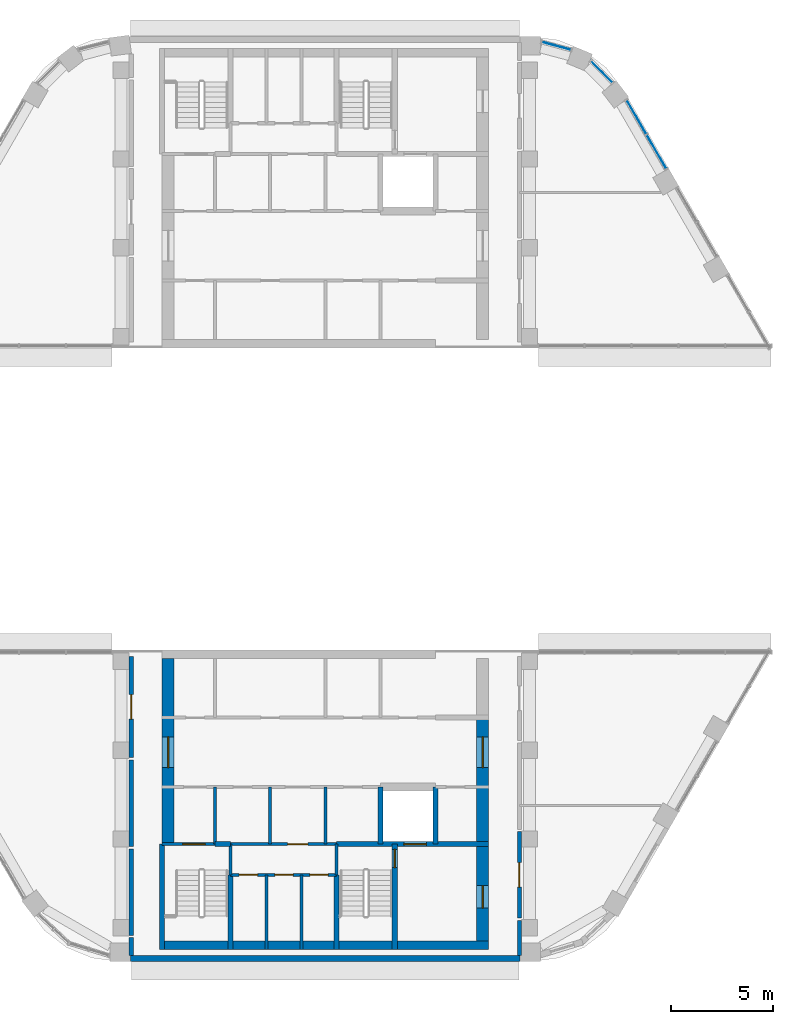
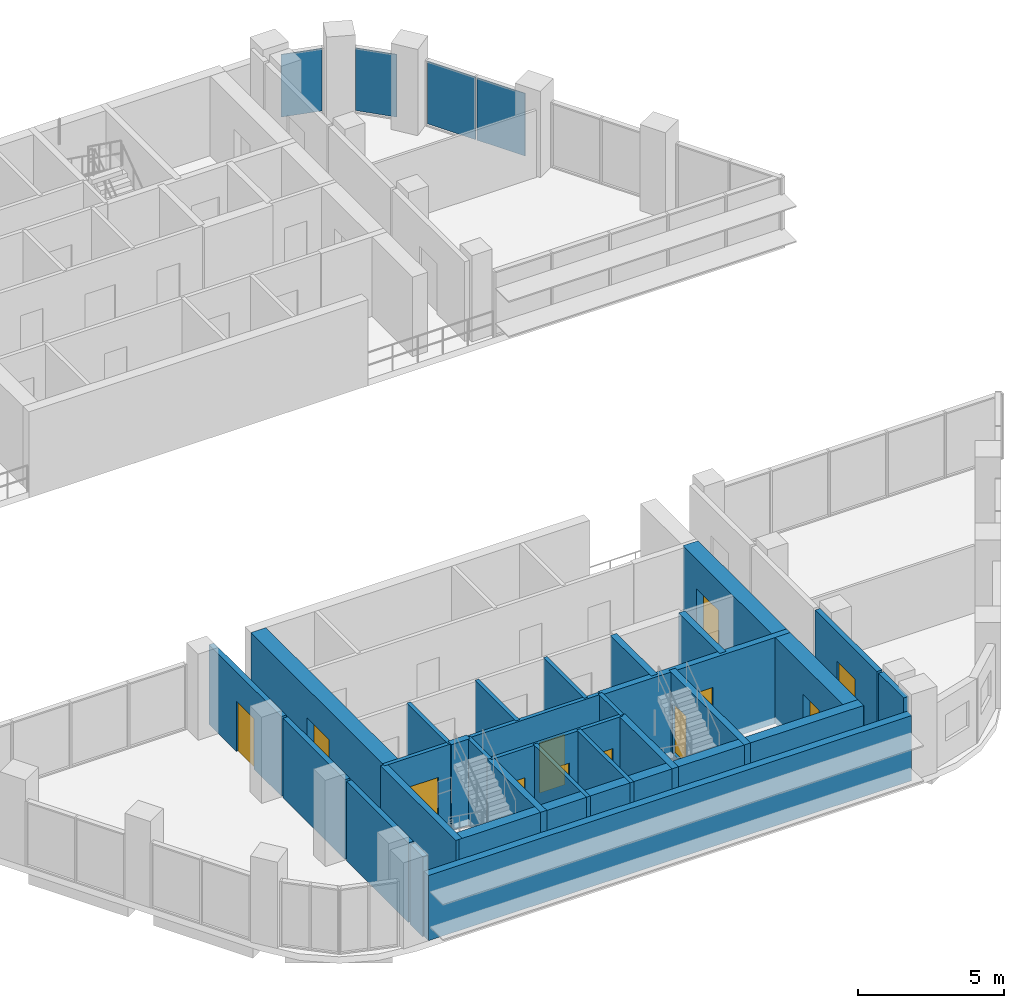
# One storey, part 8 of 14: 28 walls, 12 doors, 4 plates, 12 openings, 3 elements without a shape of their own.
"""IFC4 building model written with IfcOpenShell, lengths in metres."""

from ifc_helpers import new_model, si_unit, direction, frame, frame_2d, origin, origin_2d, place, context, subcontext, project, spatial, rectangle, extrude, material, layer, layer_set, type_object, element, fill, aggregate, save


model = new_model("IFC4")

# Units and contexts
model_context = context("Model", 3, precision=1e-05, world=origin(), true_north=direction((0.0, 1.0)))
body_context = subcontext(model_context, "Body", "Model", "MODEL_VIEW")
ifc_project = project(units=[si_unit("LENGTHUNIT", "METRE"), si_unit("AREAUNIT", "SQUARE_METRE"), si_unit("VOLUMEUNIT", "CUBIC_METRE"), si_unit("PLANEANGLEUNIT", "RADIAN"), si_unit("MASSUNIT", "GRAM", prefix="KILO")], contexts=[model_context])

# Site, building, storey
site_placement = place(None, origin())
site = spatial("IfcSite", under=ifc_project, at=site_placement, CompositionType="ELEMENT")
building_placement = place(site_placement, origin())
building = spatial("IfcBuilding", under=site, at=building_placement, Name="Nakaniwa Court", CompositionType="ELEMENT")
storey_placement = place(building_placement, frame((0.0, 0.0, 279.60009765625)))
storey = spatial("IfcBuildingStorey", under=building, at=storey_placement, Name="C03", CompositionType="ELEMENT", Elevation=279.60009765625)

# Curtain wall, plates
ifc_material_1 = material(Name="Black anodised aluminium frame with dark low-E laminated double glazing", Category="aluminium")
ifc_layer_1 = layer(ifc_material_1, 0.199951171875)
ifc_layer_set_1 = layer_set([ifc_layer_1], Name="Black anodised aluminium frame with dark low-E laminated double glazing")
curtain_wall_type = type_object("IfcCurtainWallType", Name="Crown curtain wall", PredefinedType="NOTDEFINED", material=ifc_layer_set_1)
curtain_wall_1_placement = place(storey_placement, origin())
curtain_wall_1 = element("IfcCurtainWall", 1, at=curtain_wall_1_placement, inside=storey, type_object=curtain_wall_type, Name="C03 curtain wall CW4 20", PredefinedType="NOTDEFINED")
ifc_material_2 = material(Name="Dark toughened glass", Category="glass")
ifc_layer_2 = layer(ifc_material_2, 0.007, Name="Outer pane")
ifc_material_3 = material(Name="Argon filled cavity")
ifc_layer_3 = layer(ifc_material_3, 0.016, Name="Cavity")
ifc_material_4 = material(Name="Dark laminated safety glass", Category="glass")
ifc_layer_4 = layer(ifc_material_4, 0.007, Name="Inner pane")
ifc_layer_set_2 = layer_set([ifc_layer_2, ifc_layer_3, ifc_layer_4], Name="Dark low-E laminated double glazing")
plate_type = type_object("IfcPlateType", Name="Crown curtain wall glass panel", PredefinedType="CURTAIN_PANEL", material=ifc_layer_set_2)
plate_1_placement = place(storey_placement, frame((96.220703125, 97.004638671875, 0.0546875), z_axis=(0.0, 0.0, 1.0), x_axis=(-0.499995809815, 0.866027822975, 0.0)))
plate_1 = element("IfcPlate", 2, at=plate_1_placement, type_object=plate_type, Name="CW4 panel 1.1", PredefinedType="CURTAIN_PANEL", context=body_context, shape_type="SweptSolid", body=[
    extrude(rectangle(XDim=1.892333984375, YDim=0.030029296875, at=origin_2d()), origin(), (0.0, 0.0, 1.0), 2.614990234375),
])
plate_2_placement = place(storey_placement, frame((95.2421875, 98.69970703125, 0.0546875), z_axis=(0.0, 0.0, 1.0), x_axis=(-0.499995809815, 0.866027822975, 0.0)))
plate_2 = element("IfcPlate", 3, at=plate_2_placement, type_object=plate_type, Name="CW4 panel 2.1", PredefinedType="CURTAIN_PANEL", context=body_context, shape_type="SweptSolid", body=[
    extrude(rectangle(XDim=1.892333984375, YDim=0.030029296875, at=origin_2d()), origin(), (0.0, 0.0, 1.0), 2.614990234375),
])
aggregate(curtain_wall_1, [plate_1, plate_2])

# Curtain wall, plate
curtain_wall_2_placement = place(storey_placement, origin())
curtain_wall_2 = element("IfcCurtainWall", 4, at=curtain_wall_2_placement, inside=storey, type_object=curtain_wall_type, Name="C03 curtain wall CW4 21", PredefinedType="NOTDEFINED")
plate_3_placement = place(storey_placement, frame((93.536865234375, 100.9208984375, 0.0546875), z_axis=(0.0, 0.0, 1.0), x_axis=(-0.699240623143, 0.714886390238, 0.0)))
plate_3 = element("IfcPlate", 5, at=plate_3_placement, type_object=plate_type, Name="CW4 panel 1.1", PredefinedType="CURTAIN_PANEL", context=body_context, shape_type="SweptSolid", body=[
    extrude(rectangle(XDim=1.4677734375, YDim=0.030029296875, at=origin_2d()), origin(), (0.0, 0.0, 1.0), 2.614990234375),
])
aggregate(curtain_wall_2, [plate_3])

curtain_wall_3_placement = place(storey_placement, origin())
curtain_wall_3 = element("IfcCurtainWall", 6, at=curtain_wall_3_placement, inside=storey, type_object=curtain_wall_type, Name="C03 curtain wall CW4 22", PredefinedType="NOTDEFINED")
plate_4_placement = place(storey_placement, frame((91.31591796875, 102.18505859375, 0.0546875), z_axis=(0.0, 0.0, 1.0), x_axis=(-0.965375472235, 0.26086432797, 0.0)))
plate_4 = element("IfcPlate", 7, at=plate_4_placement, type_object=plate_type, Name="CW4 panel 1.1", PredefinedType="CURTAIN_PANEL", context=body_context, shape_type="SweptSolid", body=[
    extrude(rectangle(XDim=1.44775390625, YDim=0.030029296875, at=origin_2d()), origin(), (0.0, 0.0, 1.0), 2.614990234375),
])
aggregate(curtain_wall_3, [plate_4])

# Wall
ifc_material_5 = material(Name="Acoustic double stud partition")
ifc_layer_5 = layer(ifc_material_5, 0.199951171875)
ifc_layer_set_3 = layer_set([ifc_layer_5], Name="Acoustic double stud partition")
wall_type_1 = type_object("IfcWallType", Name="Acoustic double stud partition 200", PredefinedType="PARTITIONING", material=ifc_layer_set_3)
wall_1_placement = place(storey_placement, frame((89.5, 57.64990234375, 0.0), z_axis=(0.0, 0.0, 1.0), x_axis=(0.0, 1.0, 0.0)))
element("IfcWall", 8, at=wall_1_placement, inside=storey, type_object=wall_type_1, Name="Partition PW-055", PredefinedType="PARTITIONING", context=body_context, shape_type="SweptSolid", body=[
    extrude(rectangle(XDim=1.713134765625, YDim=0.199951171875, at=frame_2d((0.8564453125, 0.0))), origin(), (0.0, 0.0, 1.0), 3.324951171875),
])

# Wall, opening, door
wall_2_placement = place(storey_placement, frame((89.5, 63.712890625, 0.0), z_axis=(0.0, 0.0, 1.0), x_axis=(0.0, -1.0, 0.0)))
wall_2 = element("IfcWall", 9, at=wall_2_placement, inside=storey, type_object=wall_type_1, Name="Partition PW-056", PredefinedType="PARTITIONING", context=body_context, shape_type="SweptSolid", body=[
    extrude(rectangle(XDim=4.23583984375, YDim=0.199951171875, at=frame_2d((2.117919921875, 0.0))), origin(), (0.0, 0.0, 1.0), 3.324951171875),
])
opening_1_placement = place(wall_2_placement, frame((1.51806640625, 0.0, 0.0)))
opening_1 = element("IfcOpeningElement", 10, at=opening_1_placement, cuts=wall_2, Name="Opening D-30-01", PredefinedType="OPENING", context=body_context, shape_type="SweptSolid", body=[
    extrude(rectangle(XDim=1.199951171875, YDim=2.10009765625, at=frame_2d((0.60009765625, 1.050048828125))), frame((0.0, 0.10986328125, 0.0), z_axis=(0.0, -1.0, 0.0), x_axis=(1.0, 0.0, 0.0)), (0.0, 0.0, 1.0), 0.219970703125),
])
ifc_material_6 = material(Name="Solid core timber door set, black veneer", Category="wood")
door_type_1 = type_object("IfcDoorType", Name="Internal door 1200", OperationType="NOTDEFINED", PredefinedType="DOOR", material=ifc_material_6)
door_1_placement = place(opening_1_placement, origin())
door_1 = element("IfcDoor", 11, at=door_1_placement, inside=storey, type_object=door_type_1, Name="Door D-30-01 C03-031", OperationType="SINGLE_SWING_RIGHT", OverallHeight=2.10009765625, OverallWidth=1.199951171875, PredefinedType="DOOR", context=body_context, shape_type="SweptSolid", body=[
    extrude(rectangle(XDim=1.199951171875, YDim=2.10009765625, at=frame_2d((0.60009765625, 1.050048828125))), frame((0.0, 0.02490234375, 0.0), z_axis=(0.0, -1.0, 0.0), x_axis=(1.0, 0.0, 0.0)), (0.0, 0.0, 1.0), 0.050048828125),
])
fill(opening_1, door_1)

# Walls
wall_3_placement = place(storey_placement, frame((70.5, 57.64990234375, 0.0), z_axis=(0.0, 0.0, 1.0), x_axis=(0.0, 1.0, 0.0)))
element("IfcWall", 12, at=wall_3_placement, inside=storey, type_object=wall_type_1, Name="Partition PW-065", PredefinedType="PARTITIONING", context=body_context, shape_type="SweptSolid", body=[
    extrude(rectangle(XDim=0.873046875, YDim=0.199951171875, at=frame_2d((0.4365234375, 0.0))), origin(), (0.0, 0.0, 1.0), 3.324951171875),
])
wall_4_placement = place(storey_placement, frame((70.5, 58.636962890625, 0.0), z_axis=(0.0, 0.0, 1.0), x_axis=(0.0, 1.0, 0.0)))
element("IfcWall", 13, at=wall_4_placement, inside=storey, type_object=wall_type_1, Name="Partition PW-066", PredefinedType="PARTITIONING", context=body_context, shape_type="SweptSolid", body=[
    extrude(rectangle(XDim=4.236083984375, YDim=0.199951171875, at=frame_2d((2.1181640625, 0.0))), origin(), (0.0, 0.0, 1.0), 3.324951171875),
])
wall_5_placement = place(storey_placement, frame((70.5, 62.987060546875, 0.0), z_axis=(0.0, 0.0, 1.0), x_axis=(0.0, 1.0, 0.0)))
element("IfcWall", 14, at=wall_5_placement, inside=storey, type_object=wall_type_1, Name="Partition PW-067", PredefinedType="PARTITIONING", context=body_context, shape_type="SweptSolid", body=[
    extrude(rectangle(XDim=4.23583984375, YDim=0.199951171875, at=frame_2d((2.117919921875, 0.0))), origin(), (0.0, 0.0, 1.0), 3.324951171875),
])

# Wall, opening, door
wall_6_placement = place(storey_placement, frame((70.5, 67.3369140625, 0.0), z_axis=(0.0, 0.0, 1.0), x_axis=(0.0, 1.0, 0.0)))
wall_6 = element("IfcWall", 15, at=wall_6_placement, inside=storey, type_object=wall_type_1, Name="Partition PW-068", PredefinedType="PARTITIONING", context=body_context, shape_type="SweptSolid", body=[
    extrude(rectangle(XDim=4.963134765625, YDim=0.199951171875, at=frame_2d((2.4814453125, 0.0))), origin(), (0.0, 0.0, 1.0), 3.324951171875),
])
opening_2_placement = place(wall_6_placement, frame((1.883056640625, 0.0, 0.0)))
opening_2 = element("IfcOpeningElement", 16, at=opening_2_placement, cuts=wall_6, Name="Opening D-30-05", PredefinedType="OPENING", context=body_context, shape_type="SweptSolid", body=[
    extrude(rectangle(XDim=1.199951171875, YDim=2.10009765625, at=frame_2d((0.60009765625, 1.050048828125))), frame((0.0, 0.10986328125, 0.0), z_axis=(0.0, -1.0, 0.0), x_axis=(1.0, 0.0, 0.0)), (0.0, 0.0, 1.0), 0.219970703125),
])
door_2_placement = place(opening_2_placement, origin())
door_2 = element("IfcDoor", 17, at=door_2_placement, inside=storey, type_object=door_type_1, Name="Door D-30-05 C03-035", OperationType="SINGLE_SWING_RIGHT", OverallHeight=2.10009765625, OverallWidth=1.199951171875, PredefinedType="DOOR", context=body_context, shape_type="SweptSolid", body=[
    extrude(rectangle(XDim=1.199951171875, YDim=2.10009765625, at=frame_2d((0.60009765625, 1.050048828125))), frame((0.0, 0.02490234375, 0.0), z_axis=(0.0, -1.0, 0.0), x_axis=(1.0, 0.0, 0.0)), (0.0, 0.0, 1.0), 0.050048828125),
])
fill(opening_2, door_2)

# Walls
ifc_material_7 = material(Name="Charcoal ceramic cladding")
ifc_layer_6 = layer(ifc_material_7, 0.02, Name="Ceramic cladding")
ifc_material_8 = material(Name="Ventilated air cavity")
ifc_layer_7 = layer(ifc_material_8, 0.04, ventilated=True, Name="Ventilated cavity")
ifc_material_9 = material(Name="Mineral wool insulation")
ifc_layer_8 = layer(ifc_material_9, 0.1, Name="Insulation")
ifc_material_10 = material(Name="Cement bonded sheathing board")
ifc_layer_9 = layer(ifc_material_10, 0.012, Name="Sheathing")
ifc_material_11 = material(Name="Cold-formed galvanised stud frame with mineral wool infill")
ifc_layer_10 = layer(ifc_material_11, 0.1, Name="Stud frame")
ifc_material_12 = material(Name="Fire-rated gypsum plasterboard lining")
ifc_layer_11 = layer(ifc_material_12, 0.028, Name="Lining")
ifc_layer_set_4 = layer_set([ifc_layer_6, ifc_layer_7, ifc_layer_8, ifc_layer_9, ifc_layer_10, ifc_layer_11], Name="Charcoal ceramic faced external wall system")
wall_type_2 = type_object("IfcWallType", Name="Black ceramic faced external wall 300", PredefinedType="SOLIDWALL", material=ifc_layer_set_4)
wall_7_placement = place(storey_placement, frame((70.45068359375, 57.5, 0.0), z_axis=(0.0, 0.0, 1.0), x_axis=(1.0, 0.0, 0.0)))
element("IfcWall", 18, at=wall_7_placement, inside=storey, type_object=wall_type_2, Name="C03 external wall 10", PredefinedType="SOLIDWALL", context=body_context, shape_type="SweptSolid", body=[
    extrude(rectangle(XDim=19.0927734375, YDim=0.300048828125, at=frame_2d((9.54638671875, 0.0))), origin(), (0.0, 0.0, 1.0), 2.724853515625),
])
ifc_material_13 = material(Name="Blockwork partition", Category="masonry")
ifc_layer_12 = layer(ifc_material_13, 0.14990234375)
ifc_layer_set_5 = layer_set([ifc_layer_12], Name="Blockwork partition")
wall_type_3 = type_object("IfcWallType", Name="Blockwork partition 150", PredefinedType="PARTITIONING", material=ifc_layer_set_5)
for number, where, z_axis, x_axis, name in (
    (19, (74.60009765625, 63.10009765625, 0.0), (0.0, 0.0, 1.0), (0.0, 1.0, 0.0), "Partition PW-028"),
    (20, (80.0, 63.10009765625, 0.0), (0.0, 0.0, 1.0), (0.0, 1.0, 0.0), "Partition PW-032"),
    (21, (77.300048828125, 63.10009765625, 0.0), (0.0, 0.0, 1.0), (0.0, 1.0, 0.0), "Partition PW-040"),
):
    element("IfcWall", number, at=place(storey_placement, frame(where, z_axis=z_axis, x_axis=x_axis)), inside=storey, type_object=wall_type_3, Name=name, PredefinedType="PARTITIONING", context=body_context, shape_type="SweptSolid", body=[
        extrude(rectangle(XDim=2.7998046875, YDim=0.14990234375, at=frame_2d((1.39990234375, 0.0))), origin(), (0.0, 0.0, 1.0), 3.324951171875),
    ])

# Wall, opening, door
wall_8_placement = place(storey_placement, frame((80.552978515625, 63.10009765625, 0.0), z_axis=(0.0, 0.0, 1.0), x_axis=(-1.0, 0.0, 0.0)))
wall_8 = element("IfcWall", 22, at=wall_8_placement, inside=storey, type_object=wall_type_3, Name="Partition PW-043", PredefinedType="PARTITIONING", context=body_context, shape_type="SweptSolid", body=[
    extrude(rectangle(XDim=5.2060546875, YDim=0.14990234375, at=frame_2d((2.60302734375, 0.0))), origin(), (0.0, 0.0, 1.0), 3.324951171875),
])
opening_3_placement = place(wall_8_placement, frame((1.403076171875, 0.0, 0.0)))
opening_3 = element("IfcOpeningElement", 23, at=opening_3_placement, cuts=wall_8, Name="Opening D-23-02", PredefinedType="OPENING", context=body_context, shape_type="SweptSolid", body=[
    extrude(rectangle(XDim=1.0, YDim=2.10009765625, at=frame_2d((0.5, 1.050048828125))), frame((0.0, 0.0849609375, 0.0), z_axis=(0.0, -1.0, 0.0), x_axis=(1.0, 0.0, 0.0)), (0.0, 0.0, 1.0), 0.169921875),
])
ifc_material_14 = material(Name="Fire rated steel door set", Category="steel")
door_type_2 = type_object("IfcDoorType", Name="Service room door 1000", OperationType="NOTDEFINED", PredefinedType="DOOR", material=ifc_material_14)
door_3_placement = place(opening_3_placement, origin())
door_3 = element("IfcDoor", 24, at=door_3_placement, inside=storey, type_object=door_type_2, Name="Door D-23-02 C03-025", OperationType="SINGLE_SWING_RIGHT", OverallHeight=2.10009765625, OverallWidth=1.0, PredefinedType="DOOR", context=body_context, shape_type="SweptSolid", body=[
    extrude(rectangle(XDim=1.0, YDim=2.10009765625, at=frame_2d((0.5, 1.050048828125))), frame((0.0, 0.02490234375, 0.0), z_axis=(0.0, -1.0, 0.0), x_axis=(1.0, 0.0, 0.0)), (0.0, 0.0, 1.0), 0.050048828125),
])
fill(opening_3, door_3)

# Wall, openings, doors
wall_9_placement = place(storey_placement, frame((80.550048828125, 61.60009765625, 0.0), z_axis=(0.0, 0.0, 1.0), x_axis=(-1.0, 0.0, 0.0)))
wall_9 = element("IfcWall", 25, at=wall_9_placement, inside=storey, type_object=wall_type_3, Name="Partition PW-052", PredefinedType="PARTITIONING", context=body_context, shape_type="SweptSolid", body=[
    extrude(rectangle(XDim=5.199951171875, YDim=0.14990234375, at=frame_2d((2.60009765625, 0.0))), origin(), (0.0, 0.0, 1.0), 3.324951171875),
])
opening_4_placement = place(wall_9_placement, frame((3.865966796875, 0.0, 0.0)))
opening_4 = element("IfcOpeningElement", 26, at=opening_4_placement, cuts=wall_9, Name="Opening D-05-18", PredefinedType="OPENING", context=body_context, shape_type="SweptSolid", body=[
    extrude(rectangle(XDim=0.89990234375, YDim=2.10009765625, at=frame_2d((0.449951171875, 1.050048828125))), frame((0.0, 0.0849609375, 0.0), z_axis=(0.0, -1.0, 0.0), x_axis=(1.0, 0.0, 0.0)), (0.0, 0.0, 1.0), 0.169921875),
])
opening_5_placement = place(wall_9_placement, frame((2.1240234375, 0.0, 0.0)))
opening_5 = element("IfcOpeningElement", 27, at=opening_5_placement, cuts=wall_9, Name="Opening D-05-19", PredefinedType="OPENING", context=body_context, shape_type="SweptSolid", body=[
    extrude(rectangle(XDim=0.89990234375, YDim=2.10009765625, at=frame_2d((0.449951171875, 1.050048828125))), frame((0.0, 0.0849609375, 0.0), z_axis=(0.0, -1.0, 0.0), x_axis=(1.0, 0.0, 0.0)), (0.0, 0.0, 1.0), 0.169921875),
])
opening_6_placement = place(wall_9_placement, frame((0.407958984375, 0.0, 0.0)))
opening_6 = element("IfcOpeningElement", 28, at=opening_6_placement, cuts=wall_9, Name="Opening D-05-20", PredefinedType="OPENING", context=body_context, shape_type="SweptSolid", body=[
    extrude(rectangle(XDim=0.89990234375, YDim=2.10009765625, at=frame_2d((0.449951171875, 1.050048828125))), frame((0.0, 0.0849609375, 0.0), z_axis=(0.0, -1.0, 0.0), x_axis=(1.0, 0.0, 0.0)), (0.0, 0.0, 1.0), 0.169921875),
])
door_type_3 = type_object("IfcDoorType", Name="Service room door 900", OperationType="NOTDEFINED", PredefinedType="DOOR", material=ifc_material_14)
door_4_placement = place(opening_4_placement, origin())
door_4 = element("IfcDoor", 29, at=door_4_placement, inside=storey, type_object=door_type_3, Name="Door D-05-18 C03-026", OperationType="SINGLE_SWING_LEFT", OverallHeight=2.10009765625, OverallWidth=0.89990234375, PredefinedType="DOOR", context=body_context, shape_type="SweptSolid", body=[
    extrude(rectangle(XDim=0.89990234375, YDim=2.10009765625, at=frame_2d((0.449951171875, 1.050048828125))), frame((0.0, 0.02490234375, 0.0), z_axis=(0.0, -1.0, 0.0), x_axis=(1.0, 0.0, 0.0)), (0.0, 0.0, 1.0), 0.050048828125),
])
fill(opening_4, door_4)
door_5_placement = place(opening_5_placement, origin())
door_5 = element("IfcDoor", 30, at=door_5_placement, inside=storey, type_object=door_type_3, Name="Door D-05-19 C03-027", OperationType="SINGLE_SWING_RIGHT", OverallHeight=2.10009765625, OverallWidth=0.89990234375, PredefinedType="DOOR", context=body_context, shape_type="SweptSolid", body=[
    extrude(rectangle(XDim=0.89990234375, YDim=2.10009765625, at=frame_2d((0.449951171875, 1.050048828125))), frame((0.0, 0.02490234375, 0.0), z_axis=(0.0, -1.0, 0.0), x_axis=(1.0, 0.0, 0.0)), (0.0, 0.0, 1.0), 0.050048828125),
])
fill(opening_5, door_5)
door_6_placement = place(opening_6_placement, origin())
door_6 = element("IfcDoor", 31, at=door_6_placement, inside=storey, type_object=door_type_3, Name="Door D-05-20 C03-028", OperationType="SINGLE_SWING_LEFT", OverallHeight=2.10009765625, OverallWidth=0.89990234375, PredefinedType="DOOR", context=body_context, shape_type="SweptSolid", body=[
    extrude(rectangle(XDim=0.89990234375, YDim=2.10009765625, at=frame_2d((0.449951171875, 1.050048828125))), frame((0.0, 0.02490234375, 0.0), z_axis=(0.0, -1.0, 0.0), x_axis=(1.0, 0.0, 0.0)), (0.0, 0.0, 1.0), 0.050048828125),
])
fill(opening_6, door_6)

# Walls
for number, where, z_axis, x_axis, name in (
    (32, (77.117919921875, 57.949951171875, 0.0), (0.0, 0.0, 1.0), (0.0, 1.0, 0.0), "Partition PW-053"),
    (33, (78.833984375, 57.949951171875, 0.0), (0.0, 0.0, 1.0), (0.0, 1.0, 0.0), "Partition PW-054"),
):
    element("IfcWall", number, at=place(storey_placement, frame(where, z_axis=z_axis, x_axis=x_axis)), inside=storey, type_object=wall_type_3, Name=name, PredefinedType="PARTITIONING", context=body_context, shape_type="SweptSolid", body=[
        extrude(rectangle(XDim=3.650146484375, YDim=0.14990234375, at=frame_2d((1.8251953125, 0.0))), origin(), (0.0, 0.0, 1.0), 3.324951171875),
    ])

# Wall, opening, door
ifc_material_15 = material(Name="Concrete C80/100", Category="concrete")
ifc_layer_13 = layer(ifc_material_15, 0.60009765625)
ifc_layer_set_6 = layer_set([ifc_layer_13], Name="Concrete C80/100")
wall_type_4 = type_object("IfcWallType", Name="Concrete core side wall 600 C80", PredefinedType="SHEAR", material=ifc_layer_set_6)
wall_10_placement = place(storey_placement, frame((72.300048828125, 63.10009765625, -0.275146484375), z_axis=(0.0, 0.0, 1.0), x_axis=(0.0, 1.0, 0.0)))
wall_10 = element("IfcWall", 34, at=wall_10_placement, inside=storey, type_object=wall_type_4, Name="Core wall SW-31", PredefinedType="SHEAR", context=body_context, shape_type="SweptSolid", body=[
    extrude(rectangle(XDim=9.099853515625, YDim=0.60009765625, at=frame_2d((4.5498046875, 0.0))), origin(), (0.0, 0.0, 1.0), 3.60009765625),
])
opening_7_placement = place(wall_10_placement, frame((3.75, 0.0, 0.27490234375)))
opening_7 = element("IfcOpeningElement", 35, at=opening_7_placement, cuts=wall_10, Name="Opening D-07-04", PredefinedType="OPENING", context=body_context, shape_type="SweptSolid", body=[
    extrude(rectangle(XDim=1.5, YDim=2.10009765625, at=frame_2d((0.75, 1.050048828125))), frame((0.0, 0.31005859375, 0.0), z_axis=(0.0, -1.0, 0.0), x_axis=(1.0, 0.0, 0.0)), (0.0, 0.0, 1.0), 0.6201171875),
])
ifc_material_16 = material(Name="Glazed fire rated steel double door set", Category="steel")
door_type_4 = type_object("IfcDoorType", Name="Lobby double door 1500", OperationType="NOTDEFINED", PredefinedType="DOOR", material=ifc_material_16)
door_7_placement = place(opening_7_placement, origin())
door_7 = element("IfcDoor", 36, at=door_7_placement, inside=storey, type_object=door_type_4, Name="Door D-07-04 C03-041", OperationType="DOUBLE_DOOR_SINGLE_SWING", OverallHeight=2.10009765625, OverallWidth=1.5, PredefinedType="DOOR", context=body_context, shape_type="SweptSolid", body=[
    extrude(rectangle(XDim=1.5, YDim=2.10009765625, at=frame_2d((0.75, 1.050048828125))), frame((0.0, 0.02490234375, 0.0), z_axis=(0.0, -1.0, 0.0), x_axis=(1.0, 0.0, 0.0)), (0.0, 0.0, 1.0), 0.050048828125),
])
fill(opening_7, door_7)

# Wall, openings, doors
wall_11_placement = place(storey_placement, frame((87.699951171875, 69.300048828125, -0.275146484375), z_axis=(0.0, 0.0, 1.0), x_axis=(0.0, -1.0, 0.0)))
wall_11 = element("IfcWall", 37, at=wall_11_placement, inside=storey, type_object=wall_type_4, Name="Core wall SW-38", PredefinedType="SHEAR", context=body_context, shape_type="SweptSolid", body=[
    extrude(rectangle(XDim=11.35009765625, YDim=0.60009765625, at=frame_2d((5.675048828125, 0.0))), origin(), (0.0, 0.0, 1.0), 3.60009765625),
])
opening_8_placement = place(wall_11_placement, frame((0.949951171875, 0.0, 0.27490234375)))
opening_8 = element("IfcOpeningElement", 38, at=opening_8_placement, cuts=wall_11, Name="Opening D-07-03", PredefinedType="OPENING", context=body_context, shape_type="SweptSolid", body=[
    extrude(rectangle(XDim=1.5, YDim=2.10009765625, at=frame_2d((0.75, 1.050048828125))), frame((0.0, 0.31005859375, 0.0), z_axis=(0.0, -1.0, 0.0), x_axis=(1.0, 0.0, 0.0)), (0.0, 0.0, 1.0), 0.6201171875),
])
opening_9_placement = place(wall_11_placement, frame((8.22509765625, 0.0, 0.27490234375)))
opening_9 = element("IfcOpeningElement", 39, at=opening_9_placement, cuts=wall_11, Name="Opening D-10-02", PredefinedType="OPENING", context=body_context, shape_type="SweptSolid", body=[
    extrude(rectangle(XDim=1.10009765625, YDim=2.10009765625, at=frame_2d((0.550048828125, 1.050048828125))), frame((0.0, 0.31005859375, 0.0), z_axis=(0.0, -1.0, 0.0), x_axis=(1.0, 0.0, 0.0)), (0.0, 0.0, 1.0), 0.6201171875),
])
door_type_5 = type_object("IfcDoorType", Name="Firefighting lobby door 1100", OperationType="NOTDEFINED", PredefinedType="DOOR", material=ifc_material_14)
door_8_placement = place(opening_9_placement, origin())
door_8 = element("IfcDoor", 40, at=door_8_placement, inside=storey, type_object=door_type_5, Name="Door D-10-02 C03-042", OperationType="SINGLE_SWING_LEFT", OverallHeight=2.10009765625, OverallWidth=1.10009765625, PredefinedType="DOOR", context=body_context, shape_type="SweptSolid", body=[
    extrude(rectangle(XDim=1.10009765625, YDim=2.10009765625, at=frame_2d((0.550048828125, 1.050048828125))), frame((0.0, 0.02490234375, 0.0), z_axis=(0.0, -1.0, 0.0), x_axis=(1.0, 0.0, 0.0)), (0.0, 0.0, 1.0), 0.050048828125),
])
fill(opening_9, door_8)
door_9_placement = place(opening_8_placement, origin())
door_9 = element("IfcDoor", 41, at=door_9_placement, inside=storey, type_object=door_type_4, Name="Door D-07-03 C03-040", OperationType="DOUBLE_DOOR_SINGLE_SWING", OverallHeight=2.10009765625, OverallWidth=1.5, PredefinedType="DOOR", context=body_context, shape_type="SweptSolid", body=[
    extrude(rectangle(XDim=1.5, YDim=2.10009765625, at=frame_2d((0.75, 1.050048828125))), frame((0.0, 0.02490234375, 0.0), z_axis=(0.0, -1.0, 0.0), x_axis=(1.0, 0.0, 0.0)), (0.0, 0.0, 1.0), 0.050048828125),
])
fill(opening_8, door_9)

# Wall, opening, door
ifc_layer_14 = layer(ifc_material_15, 0.14990234375)
ifc_layer_set_7 = layer_set([ifc_layer_14], Name="Concrete C80/100")
wall_type_5 = type_object("IfcWallType", Name="Concrete core wall 150 C80", PredefinedType="SHEAR", material=ifc_layer_set_7)
wall_12_placement = place(storey_placement, frame((72.0, 63.10009765625, -0.275146484375), z_axis=(0.0, 0.0, 1.0), x_axis=(1.0, 0.0, 0.0)))
wall_12 = element("IfcWall", 42, at=wall_12_placement, inside=storey, type_object=wall_type_5, Name="Core wall SW-39", PredefinedType="SHEAR", context=body_context, shape_type="SweptSolid", body=[
    extrude(rectangle(XDim=2.60009765625, YDim=0.14990234375, at=frame_2d((1.300048828125, 0.0))), origin(), (0.0, 0.0, 1.0), 3.60009765625),
])
opening_10_placement = place(wall_12_placement, frame((1.02001953125, 0.0, 0.27490234375)))
opening_10 = element("IfcOpeningElement", 43, at=opening_10_placement, cuts=wall_12, Name="Opening D-09-02", PredefinedType="OPENING", context=body_context, shape_type="SweptSolid", body=[
    extrude(rectangle(XDim=1.10009765625, YDim=2.10009765625, at=frame_2d((0.550048828125, 1.050048828125))), frame((0.0, 0.0849609375, 0.0), z_axis=(0.0, -1.0, 0.0), x_axis=(1.0, 0.0, 0.0)), (0.0, 0.0, 1.0), 0.169921875),
])
door_type_6 = type_object("IfcDoorType", Name="Stair door 1100", OperationType="NOTDEFINED", PredefinedType="DOOR", material=ifc_material_14)
door_10_placement = place(opening_10_placement, origin())
door_10 = element("IfcDoor", 44, at=door_10_placement, inside=storey, type_object=door_type_6, Name="Door D-09-02 C03-029", OperationType="SINGLE_SWING_LEFT", OverallHeight=2.10009765625, OverallWidth=1.10009765625, PredefinedType="DOOR", context=body_context, shape_type="SweptSolid", body=[
    extrude(rectangle(XDim=1.10009765625, YDim=2.10009765625, at=frame_2d((0.550048828125, 1.050048828125))), frame((0.0, 0.02490234375, 0.0), z_axis=(0.0, -1.0, 0.0), x_axis=(1.0, 0.0, 0.0)), (0.0, 0.0, 1.0), 0.050048828125),
])
fill(opening_10, door_10)

# Walls
for number, where, z_axis, x_axis, name in (
    (45, (75.35009765625, 61.596923828125, -0.275146484375), (0.0, 0.0, 1.0), (0.0, 1.0, 0.0), "Core wall SW-46"),
    (46, (80.550048828125, 61.596923828125, -0.275146484375), (0.0, 0.0, 1.0), (0.0, 1.0, 0.0), "Core wall SW-50"),
):
    element("IfcWall", number, at=place(storey_placement, frame(where, z_axis=z_axis, x_axis=x_axis)), inside=storey, type_object=wall_type_5, Name=name, PredefinedType="SHEAR", context=body_context, shape_type="SweptSolid", body=[
        extrude(rectangle(XDim=1.503173828125, YDim=0.14990234375, at=frame_2d((0.75146484375, 0.0))), origin(), (0.0, 0.0, 1.0), 3.60009765625),
    ])
ifc_layer_15 = layer(ifc_material_15, 0.25)
ifc_layer_set_8 = layer_set([ifc_layer_15], Name="Concrete C80/100")
wall_type_6 = type_object("IfcWallType", Name="Concrete core wall 250 C80", PredefinedType="SHEAR", material=ifc_layer_set_8)
wall_13_placement = place(storey_placement, frame((72.0, 57.949951171875, -0.275146484375), z_axis=(0.0, 0.0, 1.0), x_axis=(0.0, 1.0, 0.0)))
element("IfcWall", 47, at=wall_13_placement, inside=storey, type_object=wall_type_6, Name="Core wall SW-48", PredefinedType="SHEAR", context=body_context, shape_type="SweptSolid", body=[
    extrude(rectangle(XDim=5.150146484375, YDim=0.25, at=frame_2d((2.5751953125, 0.0))), origin(), (0.0, 0.0, 1.0), 3.60009765625),
])
ifc_layer_16 = layer(ifc_material_15, 0.39990234375)
ifc_layer_set_9 = layer_set([ifc_layer_16], Name="Concrete C80/100")
wall_type_7 = type_object("IfcWallType", Name="Concrete core wall 400 C80", PredefinedType="SHEAR", material=ifc_layer_set_9)
wall_14_placement = place(storey_placement, frame((72.00390625, 58.14990234375, -0.275146484375), z_axis=(0.0, 0.0, 1.0), x_axis=(1.0, 0.0, 0.0)))
element("IfcWall", 48, at=wall_14_placement, inside=storey, type_object=wall_type_7, Name="Core wall SW-80", PredefinedType="SHEAR", context=body_context, shape_type="SweptSolid", body=[
    extrude(rectangle(XDim=15.9921875, YDim=0.39990234375, at=frame_2d((7.99609375, 0.0))), origin(), (0.0, 0.0, 1.0), 3.60009765625),
])
ifc_layer_17 = layer(ifc_material_15, 0.25)
ifc_layer_set_10 = layer_set([ifc_layer_17], Name="Concrete C80/100")
wall_type_8 = type_object("IfcWallType", Name="Concrete shaft wall 250 C80", PredefinedType="SHEAR", material=ifc_layer_set_10)
wall_15_placement = place(storey_placement, frame((74.60009765625, 63.10009765625, -0.275146484375), z_axis=(0.0, 0.0, 1.0), x_axis=(1.0, 0.0, 0.0)))
element("IfcWall", 49, at=wall_15_placement, inside=storey, type_object=wall_type_8, Name="Core wall SW-41", PredefinedType="SHEAR", context=body_context, shape_type="SweptSolid", body=[
    extrude(rectangle(XDim=0.7529296875, YDim=0.25, at=frame_2d((0.37646484375, 0.0))), origin(), (0.0, 0.0, 1.0), 3.60009765625),
])

# Wall, opening, door
wall_16_placement = place(storey_placement, frame((80.547119140625, 63.10009765625, -0.275146484375), z_axis=(0.0, 0.0, 1.0), x_axis=(1.0, 0.0, 0.0)))
wall_16 = element("IfcWall", 50, at=wall_16_placement, inside=storey, type_object=wall_type_8, Name="Core wall SW-42", PredefinedType="SHEAR", context=body_context, shape_type="SweptSolid", body=[
    extrude(rectangle(XDim=7.452880859375, YDim=0.25, at=frame_2d((3.7265625, 0.0))), origin(), (0.0, 0.0, 1.0), 3.60009765625),
])
opening_11_placement = place(wall_16_placement, frame((3.302001953125, 0.0, 0.27490234375)))
opening_11 = element("IfcOpeningElement", 51, at=opening_11_placement, cuts=wall_16, Name="Opening LD02", PredefinedType="OPENING", context=body_context, shape_type="SweptSolid", body=[
    extrude(rectangle(XDim=1.10009765625, YDim=2.10009765625, at=frame_2d((0.550048828125, 1.050048828125))), frame((0.0, 0.135009765625, 0.0), z_axis=(0.0, -1.0, 0.0), x_axis=(1.0, 0.0, 0.0)), (0.0, 0.0, 1.0), 0.27001953125),
])
ifc_material_17 = material(Name="Stainless steel sliding lift landing door", Category="steel")
door_type_7 = type_object("IfcDoorType", Name="Lift landing door 1100", OperationType="NOTDEFINED", PredefinedType="DOOR", material=ifc_material_17)
door_11_placement = place(opening_11_placement, origin())
door_11 = element("IfcDoor", 52, at=door_11_placement, inside=storey, type_object=door_type_7, Name="Lift landing door LD02 C03-002", OperationType="SLIDING_TO_LEFT", OverallHeight=2.10009765625, OverallWidth=1.10009765625, PredefinedType="DOOR", context=body_context, shape_type="SweptSolid", body=[
    extrude(rectangle(XDim=1.10009765625, YDim=2.10009765625, at=frame_2d((0.550048828125, 1.050048828125))), frame((0.0, 0.02490234375, 0.0), z_axis=(0.0, -1.0, 0.0), x_axis=(1.0, 0.0, 0.0)), (0.0, 0.0, 1.0), 0.050048828125),
])
fill(opening_11, door_11)

# Walls
for number, where, z_axis, x_axis, name in (
    (53, (82.699951171875, 63.10009765625, -0.275146484375), (0.0, 0.0, 1.0), (0.0, 1.0, 0.0), "Core wall SW-44"),
    (54, (85.39990234375, 63.10009765625, -0.275146484375), (0.0, 0.0, 1.0), (0.0, 1.0, 0.0), "Core wall SW-45"),
):
    element("IfcWall", number, at=place(storey_placement, frame(where, z_axis=z_axis, x_axis=x_axis)), inside=storey, type_object=wall_type_8, Name=name, PredefinedType="SHEAR", context=body_context, shape_type="SweptSolid", body=[
        extrude(rectangle(XDim=2.7998046875, YDim=0.25, at=frame_2d((1.39990234375, 0.0))), origin(), (0.0, 0.0, 1.0), 3.60009765625),
    ])
wall_17_placement = place(storey_placement, frame((75.35009765625, 57.949951171875, -0.275146484375), z_axis=(0.0, 0.0, 1.0), x_axis=(0.0, 1.0, 0.0)))
element("IfcWall", 55, at=wall_17_placement, inside=storey, type_object=wall_type_8, Name="Core wall SW-47", PredefinedType="SHEAR", context=body_context, shape_type="SweptSolid", body=[
    extrude(rectangle(XDim=3.653076171875, YDim=0.25, at=frame_2d((1.82666015625, 0.0))), origin(), (0.0, 0.0, 1.0), 3.60009765625),
])

# Wall, opening, door
wall_18_placement = place(storey_placement, frame((83.39990234375, 63.10009765625, -0.275146484375), z_axis=(0.0, 0.0, 1.0), x_axis=(0.0, -1.0, 0.0)))
wall_18 = element("IfcWall", 56, at=wall_18_placement, inside=storey, type_object=wall_type_8, Name="Core wall SW-49", PredefinedType="SHEAR", context=body_context, shape_type="SweptSolid", body=[
    extrude(rectangle(XDim=5.150146484375, YDim=0.25, at=frame_2d((2.5751953125, 0.0))), origin(), (0.0, 0.0, 1.0), 3.60009765625),
])
opening_12_placement = place(wall_18_placement, frame((0.25, 0.0, 0.27490234375)))
opening_12 = element("IfcOpeningElement", 57, at=opening_12_placement, cuts=wall_18, Name="Opening D-11-02", PredefinedType="OPENING", context=body_context, shape_type="SweptSolid", body=[
    extrude(rectangle(XDim=0.89990234375, YDim=2.10009765625, at=frame_2d((0.449951171875, 1.050048828125))), frame((0.0, 0.135009765625, 0.0), z_axis=(0.0, -1.0, 0.0), x_axis=(1.0, 0.0, 0.0)), (0.0, 0.0, 1.0), 0.27001953125),
])
door_type_8 = type_object("IfcDoorType", Name="Stair door 900", OperationType="NOTDEFINED", PredefinedType="DOOR", material=ifc_material_14)
door_12_placement = place(opening_12_placement, origin())
door_12 = element("IfcDoor", 58, at=door_12_placement, inside=storey, type_object=door_type_8, Name="Door D-11-02 C03-030", OperationType="SINGLE_SWING_RIGHT", OverallHeight=2.10009765625, OverallWidth=0.89990234375, PredefinedType="DOOR", context=body_context, shape_type="SweptSolid", body=[
    extrude(rectangle(XDim=0.89990234375, YDim=2.10009765625, at=frame_2d((0.449951171875, 1.050048828125))), frame((0.0, 0.02490234375, 0.0), z_axis=(0.0, -1.0, 0.0), x_axis=(1.0, 0.0, 0.0)), (0.0, 0.0, 1.0), 0.050048828125),
])
fill(opening_12, door_12)

# Wall
wall_19_placement = place(storey_placement, frame((80.550048828125, 57.949951171875, -0.275146484375), z_axis=(0.0, 0.0, 1.0), x_axis=(0.0, 1.0, 0.0)))
element("IfcWall", 59, at=wall_19_placement, inside=storey, type_object=wall_type_8, Name="Core wall SW-51", PredefinedType="SHEAR", context=body_context, shape_type="SweptSolid", body=[
    extrude(rectangle(XDim=3.653076171875, YDim=0.25, at=frame_2d((1.82666015625, 0.0))), origin(), (0.0, 0.0, 1.0), 3.60009765625),
])

save(model, "model.ifc")
